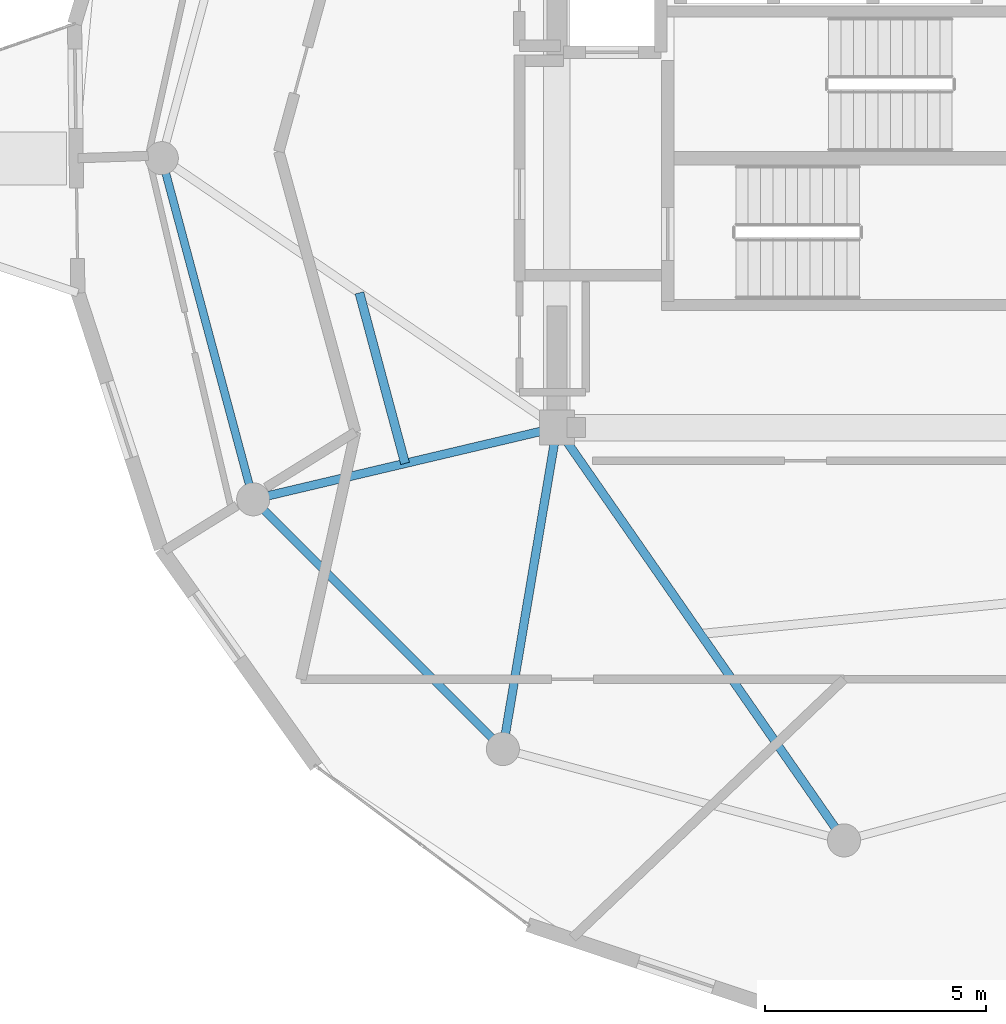
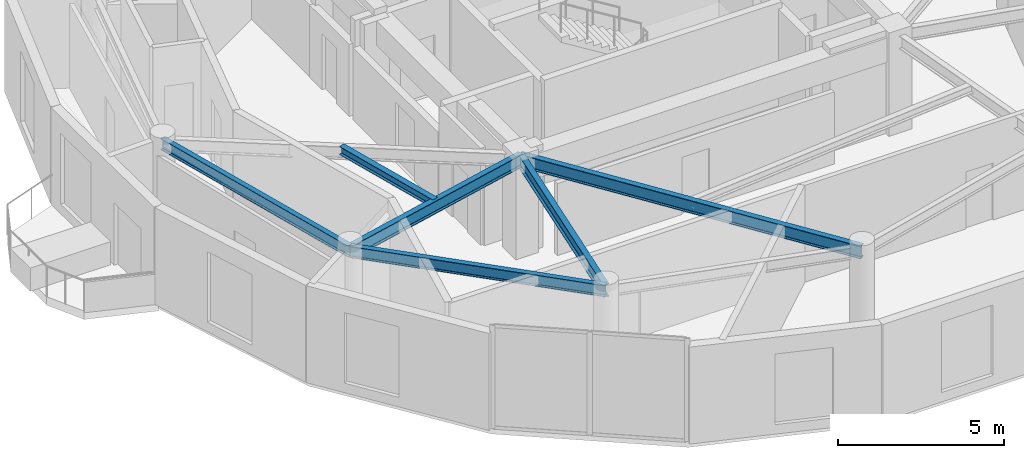
# One storey, part 3 of 18: 6 beams.
"""IFC4 building model written with IfcOpenShell, lengths in metres."""

from ifc_helpers import new_model, si_unit, direction, frame, origin, origin_2d, place, context, subcontext, project, spatial, i_section, extrude, material, material_profile, profile_set, type_object, element, save


model = new_model("IFC4")

# Units and contexts
model_context = context("Model", 3, precision=1e-05, world=origin(), true_north=direction((0.0, 1.0)))
body_context = subcontext(model_context, "Body", "Model", "MODEL_VIEW")
ifc_project = project(units=[si_unit("LENGTHUNIT", "METRE"), si_unit("AREAUNIT", "SQUARE_METRE"), si_unit("VOLUMEUNIT", "CUBIC_METRE"), si_unit("PLANEANGLEUNIT", "RADIAN"), si_unit("MASSUNIT", "GRAM", prefix="KILO")], contexts=[model_context])

# Site, building, storey
site_placement = place(None, origin())
site = spatial("IfcSite", under=ifc_project, at=site_placement, CompositionType="ELEMENT")
building_placement = place(site_placement, origin())
building = spatial("IfcBuilding", under=site, at=building_placement, Name="Solvirekh Grand Hotel", CompositionType="ELEMENT")
storey_placement = place(building_placement, frame((0.0, 0.0, 250.60009765625)))
storey = spatial("IfcBuildingStorey", under=building, at=storey_placement, Name="L65", CompositionType="ELEMENT", Elevation=250.60009765625)

# Beams
ifc_material = material(Name="Steel S355", Category="steel")
ifc_material_profile_1 = material_profile(ifc_material, i_section(OverallWidth=0.194091796875, OverallDepth=0.468994140625, WebThickness=0.010986328125, FlangeThickness=0.01904296875, FilletRadius=0.012939453125, at=origin_2d()), Name="W460X106")
ifc_profile_set_1 = profile_set([ifc_material_profile_1], Name="Steel S355")
beam_type_1 = type_object("IfcBeamType", Name="Beam_Radial_W460H", PredefinedType="BEAM", material=ifc_profile_set_1)
beam_1_placement = place(storey_placement, frame((-6.5, -6.10009765625, 3.3349609375), z_axis=(-0.973221147544, -0.229870828888, 0.0), x_axis=(0.229870828888, -0.973221147544, 0.0)))
element("IfcBeam", 1, at=beam_1_placement, inside=storey, type_object=beam_type_1, Name="L65 radial floor beam R08", PredefinedType="BEAM", context=body_context, shape_type="SweptSolid", body=[
    extrude(i_section(OverallWidth=0.194091796875, OverallDepth=0.468994140625, WebThickness=0.010986328125, FlangeThickness=0.01904296875, FilletRadius=0.012939453125, at=origin_2d()), origin(), (0.0, 0.0, 1.0), 7.069091796875),
])
beam_2_placement = place(storey_placement, frame((-6.5, -6.10009765625, 3.3349609375), z_axis=(-0.165954049106, -0.986133486697, 0.0), x_axis=(0.986133486697, -0.165954049106, 0.0)))
element("IfcBeam", 2, at=beam_2_placement, inside=storey, type_object=beam_type_1, Name="L65 radial floor beam R09", PredefinedType="BEAM", context=body_context, shape_type="SweptSolid", body=[
    extrude(i_section(OverallWidth=0.194091796875, OverallDepth=0.468994140625, WebThickness=0.010986328125, FlangeThickness=0.01904296875, FilletRadius=0.012939453125, at=origin_2d()), origin(), (0.0, 0.0, 1.0), 7.382080078125),
])
beam_3_placement = place(storey_placement, frame((-6.5, -6.10009765625, 3.3349609375), z_axis=(0.570813192472, -0.821079959139, 0.0), x_axis=(0.821079959139, 0.570813192472, 0.0)))
element("IfcBeam", 3, at=beam_3_placement, inside=storey, type_object=beam_type_1, Name="L65 radial floor beam R10", PredefinedType="BEAM", context=body_context, shape_type="SweptSolid", body=[
    extrude(i_section(OverallWidth=0.194091796875, OverallDepth=0.468994140625, WebThickness=0.010986328125, FlangeThickness=0.01904296875, FilletRadius=0.012939453125, at=origin_2d()), origin(), (0.0, 0.0, 1.0), 11.38720703125),
])
ifc_material_profile_2 = material_profile(ifc_material, i_section(OverallWidth=0.202880859375, OverallDepth=0.302978515625, WebThickness=0.008056640625, FlangeThickness=0.012939453125, FilletRadius=0.010009765625, at=origin_2d()), Name="W310X60")
ifc_profile_set_2 = profile_set([ifc_material_profile_2], Name="Steel S355")
beam_type_2 = type_object("IfcBeamType", Name="Joist_Floor_W310", PredefinedType="JOIST", material=ifc_profile_set_2)
beam_4_placement = place(storey_placement, frame((-10.97509765625, -3.050048828125, 3.41796875), z_axis=(0.258893772796, -0.965905799966, 0.0), x_axis=(0.965905799966, 0.258893772796, 0.0)))
element("IfcBeam", 4, at=beam_4_placement, inside=storey, type_object=beam_type_2, Name="L65 secondary composite floor joist 7", PredefinedType="JOIST", context=body_context, shape_type="SweptSolid", body=[
    extrude(i_section(OverallWidth=0.202880859375, OverallDepth=0.302978515625, WebThickness=0.008056640625, FlangeThickness=0.012939453125, FilletRadius=0.010009765625, at=origin_2d()), origin(), (0.0, 0.0, 1.0), 3.998291015625),
])
ifc_material_profile_3 = material_profile(ifc_material, i_section(OverallWidth=0.180908203125, OverallDepth=0.4169921875, WebThickness=0.010009765625, FlangeThickness=0.01611328125, FilletRadius=0.011962890625, at=origin_2d()), Name="W410X85")
ifc_profile_set_3 = profile_set([ifc_material_profile_3], Name="Steel S355")
beam_type_3 = type_object("IfcBeamType", Name="Spandrel_Ring_W410", PredefinedType="SPANDREL", material=ifc_profile_set_3)
beam_5_placement = place(storey_placement, frame((-15.449951171875, 0.0, 3.36181640625), z_axis=(0.258834757072, -0.965921616143, 0.0), x_axis=(0.965921616143, 0.258834757072, 0.0)))
element("IfcBeam", 5, at=beam_5_placement, inside=storey, type_object=beam_type_3, Name="L65 perimeter spandrel beam 7", PredefinedType="SPANDREL", context=body_context, shape_type="SweptSolid", body=[
    extrude(i_section(OverallWidth=0.180908203125, OverallDepth=0.4169921875, WebThickness=0.010009765625, FlangeThickness=0.01611328125, FilletRadius=0.011962890625, at=origin_2d()), origin(), (0.0, 0.0, 1.0), 7.99755859375),
])
beam_6_placement = place(storey_placement, frame((-13.3798828125, -7.72509765625, 3.36181640625), z_axis=(0.707106781187, -0.707106781187, 0.0), x_axis=(0.707106781187, 0.707106781187, 0.0)))
element("IfcBeam", 6, at=beam_6_placement, inside=storey, type_object=beam_type_3, Name="L65 perimeter spandrel beam 8", PredefinedType="SPANDREL", context=body_context, shape_type="SweptSolid", body=[
    extrude(i_section(OverallWidth=0.180908203125, OverallDepth=0.4169921875, WebThickness=0.010009765625, FlangeThickness=0.01611328125, FilletRadius=0.011962890625, at=origin_2d()), origin(), (0.0, 0.0, 1.0), 7.9970703125),
])

save(model, "model.ifc")
